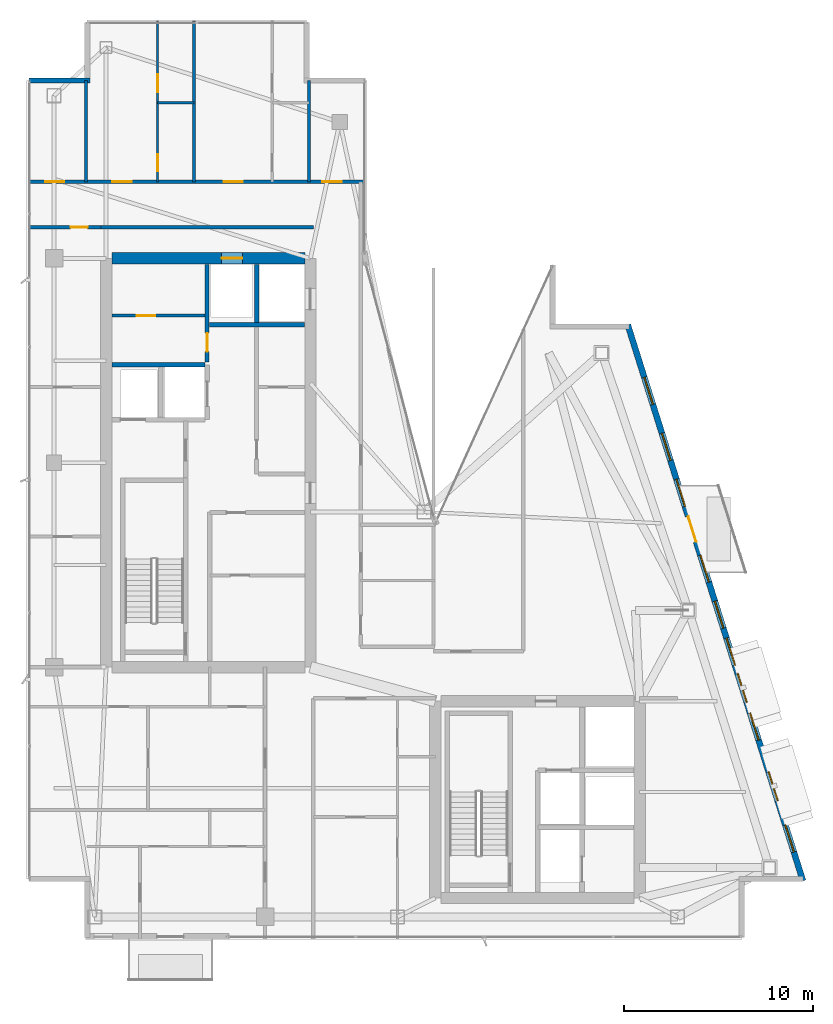
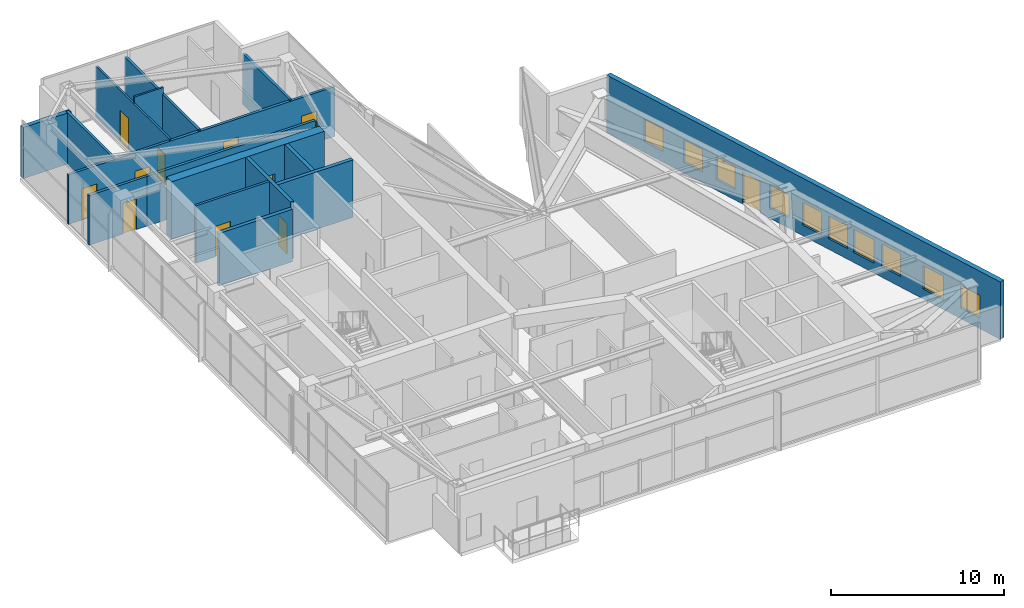
# One storey, part 23 of 26: 16 walls, 11 doors, 10 windows, 21 openings.
"""IFC4 building model written with IfcOpenShell, lengths in metres."""

import ifcopenshell
import ifcopenshell.guid

model = None  # the IFC model being written
_history = None  # IfcOwnerHistory: only IFC2X3 demands one
_inside = {}  # id of a spatial element -> (the spatial element, [elements in it])
_under = {}  # id of a project, library or spatial element -> (it, [spatial elements below it])
_declared = {}  # id of a project -> (the project, [libraries it declares])
_typed = {}  # id of a type object -> (the type object, [elements of that type])
_made_of = {}  # id of a material, layer set ... -> (it, [elements and type objects made of it])


def new_model(schema):
    """Start an empty IFC model of exactly this schema.

    Asked for "IFC4X3", IfcOpenShell would pick the latest addendum, in which some entities
    have other attributes; the version numbers below select the first issue.
    IFC2X3 requires an IfcOwnerHistory on every rooted entity: one is made here for all.
    """
    global model, _history
    if schema == "IFC4X3":
        model = ifcopenshell.file(schema_version=(4, 3, 0, 0))
    else:
        model = ifcopenshell.file(schema=schema)
    _inside.clear()
    _under.clear()
    _declared.clear()
    _typed.clear()
    _made_of.clear()
    _history = None
    if model.schema == "IFC2X3":
        org = make("IfcOrganization", Name="unknown")
        user = make(
            "IfcPersonAndOrganization",
            ThePerson=make("IfcPerson", FamilyName="unknown"),
            TheOrganization=org,
        )
        app = make(
            "IfcApplication",
            ApplicationDeveloper=org,
            Version="unknown",
            ApplicationFullName="unknown",
            ApplicationIdentifier="unknown",
        )
        _history = make(
            "IfcOwnerHistory",
            OwningUser=user,
            OwningApplication=app,
            ChangeAction="ADDED",
            CreationDate=0,
        )
    return model


def make(cls, **values):
    """One entity of the class cls with the attributes given. An attribute that is None is left unset."""
    return model.create_entity(
        cls, **{name: value for name, value in values.items() if value is not None}
    )


def rooted(cls, **values):
    """An entity with a GlobalId (a new one), such as an element, a storey or a relation."""
    return make(cls, GlobalId=ifcopenshell.guid.new(), OwnerHistory=_history, **values)


def si_unit(unit_type, name, prefix=None):
    """IfcSIUnit, for example si_unit("LENGTHUNIT", "METRE", prefix="MILLI")."""
    return make("IfcSIUnit", UnitType=unit_type, Prefix=prefix, Name=name)


def assignment(units):
    """IfcUnitAssignment: the units of a project."""
    return None if units is None else make("IfcUnitAssignment", Units=units)


def point(xyz):
    """IfcCartesianPoint."""
    return None if xyz is None else make("IfcCartesianPoint", Coordinates=xyz)


def direction(xyz):
    """IfcDirection."""
    return None if xyz is None else make("IfcDirection", DirectionRatios=xyz)


def frame(location, z_axis=None, x_axis=None):
    """IfcAxis2Placement3D, a coordinate frame: its origin and axes. An axis left out is left unset."""
    return make(
        "IfcAxis2Placement3D",
        Location=point(location),
        Axis=direction(z_axis),
        RefDirection=direction(x_axis),
    )


def frame_2d(location, x_axis=None):
    """IfcAxis2Placement2D, a coordinate frame in the plane: its origin and x axis."""
    return make(
        "IfcAxis2Placement2D", Location=point(location), RefDirection=direction(x_axis)
    )


def origin():
    """The frame at (0, 0, 0) with its axes left unset."""
    return frame((0.0, 0.0, 0.0))


def place(relative_to, where):
    """IfcLocalPlacement: puts the frame where relative to a parent placement (None: the world)."""
    return make(
        "IfcLocalPlacement", PlacementRelTo=relative_to, RelativePlacement=where
    )


def context(
    kind, dimensions, precision=None, world=None, true_north=None, identifier=None
):
    """IfcGeometricRepresentationContext, for example the 3D "Model" context."""
    return make(
        "IfcGeometricRepresentationContext",
        ContextIdentifier=identifier,
        ContextType=kind,
        CoordinateSpaceDimension=dimensions,
        Precision=precision,
        WorldCoordinateSystem=world,
        TrueNorth=true_north,
    )


def subcontext(parent, identifier, kind, view, scale=None):
    """IfcGeometricRepresentationSubContext, for example "Body" below "Model"."""
    return make(
        "IfcGeometricRepresentationSubContext",
        ContextIdentifier=identifier,
        ContextType=kind,
        ParentContext=parent,
        TargetScale=scale,
        TargetView=view,
    )


def project(units=None, contexts=None):
    """IfcProject with its units and contexts."""
    return rooted(
        "IfcProject",
        Name="project",
        RepresentationContexts=contexts,
        UnitsInContext=assignment(units),
    )


def spatial(cls, under=None, at=None, **own):
    """A site, building, storey or space (cls), placed at a placement, below another one or the project."""
    s = rooted(cls, ObjectPlacement=at, **own)
    if under is not None:
        _under.setdefault(under.id(), (under, []))[1].append(s)
    return s


def profile(cls, at=None, kind="AREA", **sizes):
    """A parametric profile (cls). Its sizes go by their IFC names, for example OverallWidth=200.0."""
    return make(cls, ProfileType=kind, Position=at, **sizes)


def rectangle(**sizes):
    """IfcRectangleProfileDef."""
    return profile("IfcRectangleProfileDef", **sizes)


def extrude(swept, where, along, depth):
    """IfcExtrudedAreaSolid: the profile swept, set in the frame where, extruded along a direction by depth."""
    return make(
        "IfcExtrudedAreaSolid",
        SweptArea=swept,
        Position=where,
        ExtrudedDirection=direction(along),
        Depth=depth,
    )


def shape(context_of_items, identifier, shape_type, items):
    """IfcShapeRepresentation: the items that make up one representation, for example the "Body"."""
    return make(
        "IfcShapeRepresentation",
        ContextOfItems=context_of_items,
        RepresentationIdentifier=identifier,
        RepresentationType=shape_type,
        Items=items,
    )


def material(Name=None, Category=None):
    """IfcMaterial."""
    return make("IfcMaterial", Name=Name, Category=Category)


def layer(
    of_material, thickness, ventilated=None, Name=None, Category=None, Priority=None
):
    """IfcMaterialLayer: one layer of a wall or slab, of a material (None: an air gap)."""
    return make(
        "IfcMaterialLayer",
        Material=of_material,
        LayerThickness=thickness,
        IsVentilated=ventilated,
        Name=Name,
        Category=Category,
        Priority=Priority,
    )


def layer_set(layers, Name=None):
    """IfcMaterialLayerSet."""
    return make("IfcMaterialLayerSet", MaterialLayers=layers, LayerSetName=Name)


def made_of(thing, what):
    """Note that an element or type object is made of a material, layer set ...; save() writes the relation."""
    if what is not None:
        _made_of.setdefault(what.id(), (what, []))[1].append(thing)
    return thing


def type_object(cls, material=None, **own):
    """A type object (cls), such as IfcWallType, which elements share."""
    return made_of(rooted(cls, **own), material)


def element(
    cls,
    number,
    at=None,
    inside=None,
    cuts=None,
    type_object=None,
    material=None,
    context=None,
    identifier="Body",
    shape_type=None,
    held_by="IfcProductDefinitionShape",
    body=None,
    shapes=None,
    **own,
):
    """One element of the class cls, such as IfcWall. Its Tag is "e" and its number.

    at: its placement. inside: the storey or other place that contains it. cuts: it is an
    opening in that element (IfcRelVoidsElement). A single representation is given by context,
    identifier, shape_type and body (its items); several are given by shapes. held_by: the class
    of the entity that holds the representations. save() writes the other relations.
    """
    e = rooted(cls, Tag="e%d" % number, ObjectPlacement=at, **own)
    if body is not None:
        shapes = [shape(context, identifier, shape_type, body)]
    if shapes is not None:
        e.Representation = make(held_by, Representations=shapes)
    if inside is not None:
        _inside.setdefault(inside.id(), (inside, []))[1].append(e)
    if cuts is not None:
        rooted(
            "IfcRelVoidsElement", RelatingBuildingElement=cuts, RelatedOpeningElement=e
        )
    if type_object is not None:
        _typed.setdefault(type_object.id(), (type_object, []))[1].append(e)
    return made_of(e, material)


def fill(opening, filler):
    """IfcRelFillsElement: the door or window that sits in an opening."""
    return rooted(
        "IfcRelFillsElement",
        RelatingOpeningElement=opening,
        RelatedBuildingElement=filler,
    )


def aggregate(whole, parts):
    """IfcRelAggregates: a whole, such as a stair, and the parts it consists of."""
    return rooted("IfcRelAggregates", RelatingObject=whole, RelatedObjects=parts)


def save(model, path):
    """Write the relations noted so far, then the file.

    IfcRelAggregates (storeys below a building ...), IfcRelContainedInSpatialStructure (elements
    in a storey), IfcRelDefinesByType, IfcRelAssociatesMaterial and IfcRelDeclares: one each for
    every whole, place, type object, material and project.
    """
    for whole, parts in _under.values():
        aggregate(whole, parts)
    for where, things in _inside.values():
        rooted(
            "IfcRelContainedInSpatialStructure",
            RelatedElements=things,
            RelatingStructure=where,
        )
    for kind, things in _typed.values():
        rooted("IfcRelDefinesByType", RelatedObjects=things, RelatingType=kind)
    for what, things in _made_of.values():
        rooted("IfcRelAssociatesMaterial", RelatedObjects=things, RelatingMaterial=what)
    for by, libraries in _declared.values():
        rooted("IfcRelDeclares", RelatingContext=by, RelatedDefinitions=libraries)
    model.write(path)


model = new_model("IFC4")

# Units and contexts
model_context = context("Model", 3, precision=1e-05, world=origin(), true_north=direction((0.0, 1.0)))
body_context = subcontext(model_context, "Body", "Model", "MODEL_VIEW")
ifc_project = project(units=[si_unit("LENGTHUNIT", "METRE"), si_unit("AREAUNIT", "SQUARE_METRE"), si_unit("VOLUMEUNIT", "CUBIC_METRE"), si_unit("PLANEANGLEUNIT", "RADIAN"), si_unit("MASSUNIT", "GRAM", prefix="KILO")], contexts=[model_context])

# Site, building, storey
site_placement = place(None, origin())
site = spatial("IfcSite", under=ifc_project, at=site_placement, CompositionType="ELEMENT")
building_placement = place(site_placement, origin())
building = spatial("IfcBuilding", under=site, at=building_placement, Name="Calvorn Quay Hotel", CompositionType="ELEMENT")
storey_placement = place(building_placement, frame((0.0, 0.0, 302.5)))
storey = spatial("IfcBuildingStorey", under=building, at=storey_placement, Name="L75", CompositionType="ELEMENT", Elevation=302.5)

# Wall, opening, door
ifc_material_1 = material(Name="Concrete C45", Category="concrete")
ifc_layer_1 = layer(ifc_material_1, 0.60009765625)
ifc_layer_set_1 = layer_set([ifc_layer_1], Name="WL-CORE-600")
wall_type_1 = type_object("IfcWallType", Name="WL-CORE-600", PredefinedType="SHEAR", material=ifc_layer_set_1)
wall_1_placement = place(storey_placement, frame((4.5, 38.39990234375, 0.0), z_axis=(0.0, 0.0, 1.0), x_axis=(1.0, 0.0, 0.0)))
wall_1 = element("IfcWall", 1, at=wall_1_placement, inside=storey, type_object=wall_type_1, Name="West Core Shear Wall N (L75)", PredefinedType="SHEAR", context=body_context, shape_type="SweptSolid", body=[
    extrude(rectangle(XDim=10.199951171875, YDim=0.60009765625, at=frame_2d((5.10009765625, 0.0))), origin(), (0.0, 0.0, 1.0), 4.050048828125),
])
opening_1_placement = place(wall_1_placement, frame((5.800048828125, 0.0, 0.0)))
opening_1 = element("IfcOpeningElement", 2, at=opening_1_placement, cuts=wall_1, Name="Opening LD-L75-H2", PredefinedType="OPENING", context=body_context, shape_type="SweptSolid", body=[
    extrude(rectangle(XDim=1.10009765625, YDim=2.199951171875, at=frame_2d((0.550048828125, 1.10009765625))), frame((0.0, 0.31005859375, 0.0), z_axis=(0.0, -1.0, 0.0), x_axis=(1.0, 0.0, 0.0)), (0.0, 0.0, 1.0), 0.6201171875),
])
ifc_material_2 = material(Name="Brushed Stainless Steel Sliding Lift Landing Door", Category="steel")
door_type_1 = type_object("IfcDoorType", Name="DR-LIFT-PASS-1100", OperationType="NOTDEFINED", PredefinedType="DOOR", material=ifc_material_2)
door_1_placement = place(opening_1_placement, origin())
door_1 = element("IfcDoor", 3, at=door_1_placement, inside=storey, type_object=door_type_1, Name="High-Rise Lift PL-H2 Landing Door (L75)", OperationType="DOUBLE_DOOR_SLIDING", OverallHeight=2.199951171875, OverallWidth=1.10009765625, PredefinedType="DOOR", context=body_context, shape_type="SweptSolid", body=[
    extrude(rectangle(XDim=1.10009765625, YDim=2.199951171875, at=frame_2d((0.550048828125, 1.10009765625))), frame((0.0, 0.02490234375, 0.0), z_axis=(0.0, -1.0, 0.0), x_axis=(1.0, 0.0, 0.0)), (0.0, 0.0, 1.0), 0.050048828125),
])
fill(opening_1, door_1)

ifc_material_3 = material(Name="Acoustic Fireboard Steel-Stud Partition", Category="steel")
ifc_layer_2 = layer(ifc_material_3, 0.179931640625)
ifc_layer_set_2 = layer_set([ifc_layer_2], Name="WL-CORR-FIRE-180")
wall_type_2 = type_object("IfcWallType", Name="WL-CORR-FIRE-180", PredefinedType="PARTITIONING", material=ifc_layer_set_2)
wall_2_placement = place(storey_placement, frame((0.080078125, 40.050048828125, 0.0), z_axis=(0.0, 0.0, 1.0), x_axis=(1.0, 0.0, 0.0)))
wall_2 = element("IfcWall", 4, at=wall_2_placement, inside=storey, type_object=wall_type_2, Name="Partition Wall L75-WL-WBAY-N-DOOR", PredefinedType="PARTITIONING", context=body_context, shape_type="SweptSolid", body=[
    extrude(rectangle(XDim=3.849853515625, YDim=0.179931640625, at=frame_2d((1.9248046875, 0.0))), origin(), (0.0, 0.0, 1.0), 3.5),
])
opening_2_placement = place(wall_2_placement, frame((2.25, 0.0, 0.0)))
opening_2 = element("IfcOpeningElement", 5, at=opening_2_placement, cuts=wall_2, Name="Opening D-L75-WBN", PredefinedType="OPENING", context=body_context, shape_type="SweptSolid", body=[
    extrude(rectangle(XDim=0.89990234375, YDim=2.14990234375, at=frame_2d((0.449951171875, 1.074951171875))), frame((0.0, 0.099853515625, 0.0), z_axis=(0.0, -1.0, 0.0), x_axis=(1.0, 0.0, 0.0)), (0.0, 0.0, 1.0), 0.199951171875),
])
ifc_material_4 = material(Name="Moisture-Sealed Timber En-Suite Door", Category="wood")
door_type_2 = type_object("IfcDoorType", Name="DR-ENSUITE-900", OperationType="NOTDEFINED", PredefinedType="DOOR", material=ifc_material_4)
door_2_placement = place(opening_2_placement, origin())
door_2 = element("IfcDoor", 6, at=door_2_placement, inside=storey, type_object=door_type_2, Name="West North Bay Door (L75)", OperationType="SINGLE_SWING_LEFT", OverallHeight=2.14990234375, OverallWidth=0.89990234375, PredefinedType="DOOR", context=body_context, shape_type="SweptSolid", body=[
    extrude(rectangle(XDim=0.89990234375, YDim=2.14990234375, at=frame_2d((0.449951171875, 1.074951171875))), frame((0.0, 0.02490234375, 0.0), z_axis=(0.0, -1.0, 0.0), x_axis=(1.0, 0.0, 0.0)), (0.0, 0.0, 1.0), 0.050048828125),
])
fill(opening_2, door_2)

# Wall, openings, doors
wall_3_placement = place(storey_placement, frame((0.080078125, 42.449951171875, 0.0), z_axis=(0.0, 0.0, 1.0), x_axis=(1.0, 0.0, 0.0)))
wall_3 = element("IfcWall", 7, at=wall_3_placement, inside=storey, type_object=wall_type_2, Name="Partition Wall L75-WL-CORR-NW-N", PredefinedType="PARTITIONING", context=body_context, shape_type="SweptSolid", body=[
    extrude(rectangle(XDim=17.77001953125, YDim=0.179931640625, at=frame_2d((8.885009765625, 0.0))), origin(), (0.0, 0.0, 1.0), 3.5),
])
opening_3_placement = place(wall_3_placement, frame((0.89990234375, 0.0, 0.0)))
opening_3 = element("IfcOpeningElement", 8, at=opening_3_placement, cuts=wall_3, Name="Opening D-L75-NWW", PredefinedType="OPENING", context=body_context, shape_type="SweptSolid", body=[
    extrude(rectangle(XDim=1.02001953125, YDim=2.199951171875, at=frame_2d((0.510009765625, 1.10009765625))), frame((0.0, 0.099853515625, 0.0), z_axis=(0.0, -1.0, 0.0), x_axis=(1.0, 0.0, 0.0)), (0.0, 0.0, 1.0), 0.199951171875),
])
opening_4_placement = place(wall_3_placement, frame((4.449951171875, 0.0, 0.0)))
opening_4 = element("IfcOpeningElement", 9, at=opening_4_placement, cuts=wall_3, Name="Opening D-L75-U04", PredefinedType="OPENING", context=body_context, shape_type="SweptSolid", body=[
    extrude(rectangle(XDim=1.02001953125, YDim=2.199951171875, at=frame_2d((0.510009765625, 1.10009765625))), frame((0.0, 0.099853515625, 0.0), z_axis=(0.0, -1.0, 0.0), x_axis=(1.0, 0.0, 0.0)), (0.0, 0.0, 1.0), 0.199951171875),
])
opening_5_placement = place(wall_3_placement, frame((10.330078125, 0.0, 0.0)))
opening_5 = element("IfcOpeningElement", 10, at=opening_5_placement, cuts=wall_3, Name="Opening D-L75-U05", PredefinedType="OPENING", context=body_context, shape_type="SweptSolid", body=[
    extrude(rectangle(XDim=1.02001953125, YDim=2.199951171875, at=frame_2d((0.510009765625, 1.10009765625))), frame((0.0, 0.099853515625, 0.0), z_axis=(0.0, -1.0, 0.0), x_axis=(1.0, 0.0, 0.0)), (0.0, 0.0, 1.0), 0.199951171875),
])
opening_6_placement = place(wall_3_placement, frame((15.550048828125, 0.0, 0.0)))
opening_6 = element("IfcOpeningElement", 11, at=opening_6_placement, cuts=wall_3, Name="Opening D-L75-NWE", PredefinedType="OPENING", context=body_context, shape_type="SweptSolid", body=[
    extrude(rectangle(XDim=1.02001953125, YDim=2.199951171875, at=frame_2d((0.510009765625, 1.10009765625))), frame((0.0, 0.099853515625, 0.0), z_axis=(0.0, -1.0, 0.0), x_axis=(1.0, 0.0, 0.0)), (0.0, 0.0, 1.0), 0.199951171875),
])
ifc_material_5 = material(Name="Solid-Core Walnut Veneer Hotel Fire Door")
door_type_3 = type_object("IfcDoorType", Name="DR-GUEST-ENTRY-1020", OperationType="NOTDEFINED", PredefinedType="DOOR", material=ifc_material_5)
door_3_placement = place(opening_3_placement, origin())
door_3 = element("IfcDoor", 12, at=door_3_placement, inside=storey, type_object=door_type_3, Name="West Corner Study Door (L75)", OperationType="SINGLE_SWING_LEFT", OverallHeight=2.199951171875, OverallWidth=1.02001953125, PredefinedType="DOOR", context=body_context, shape_type="SweptSolid", body=[
    extrude(rectangle(XDim=1.02001953125, YDim=2.199951171875, at=frame_2d((0.510009765625, 1.10009765625))), frame((0.0, 0.02490234375, 0.0), z_axis=(0.0, -1.0, 0.0), x_axis=(1.0, 0.0, 0.0)), (0.0, 0.0, 1.0), 0.050048828125),
])
fill(opening_3, door_3)
door_4_placement = place(opening_4_placement, origin())
door_4 = element("IfcDoor", 13, at=door_4_placement, inside=storey, type_object=door_type_3, Name="North-West Unit Door U04 (L75)", OperationType="SINGLE_SWING_RIGHT", OverallHeight=2.199951171875, OverallWidth=1.02001953125, PredefinedType="DOOR", context=body_context, shape_type="SweptSolid", body=[
    extrude(rectangle(XDim=1.02001953125, YDim=2.199951171875, at=frame_2d((0.510009765625, 1.10009765625))), frame((0.0, 0.02490234375, 0.0), z_axis=(0.0, -1.0, 0.0), x_axis=(1.0, 0.0, 0.0)), (0.0, 0.0, 1.0), 0.050048828125),
])
fill(opening_4, door_4)
door_5_placement = place(opening_5_placement, origin())
door_5 = element("IfcDoor", 14, at=door_5_placement, inside=storey, type_object=door_type_3, Name="North-West Unit Door U05 (L75)", OperationType="SINGLE_SWING_LEFT", OverallHeight=2.199951171875, OverallWidth=1.02001953125, PredefinedType="DOOR", context=body_context, shape_type="SweptSolid", body=[
    extrude(rectangle(XDim=1.02001953125, YDim=2.199951171875, at=frame_2d((0.510009765625, 1.10009765625))), frame((0.0, 0.02490234375, 0.0), z_axis=(0.0, -1.0, 0.0), x_axis=(1.0, 0.0, 0.0)), (0.0, 0.0, 1.0), 0.050048828125),
])
fill(opening_5, door_5)
door_6_placement = place(opening_6_placement, origin())
door_6 = element("IfcDoor", 15, at=door_6_placement, inside=storey, type_object=door_type_3, Name="Inner Court Study Door (L75)", OperationType="SINGLE_SWING_RIGHT", OverallHeight=2.199951171875, OverallWidth=1.02001953125, PredefinedType="DOOR", context=body_context, shape_type="SweptSolid", body=[
    extrude(rectangle(XDim=1.02001953125, YDim=2.199951171875, at=frame_2d((0.510009765625, 1.10009765625))), frame((0.0, 0.02490234375, 0.0), z_axis=(0.0, -1.0, 0.0), x_axis=(1.0, 0.0, 0.0)), (0.0, 0.0, 1.0), 0.050048828125),
])
fill(opening_6, door_6)

# Walls
wall_4_placement = place(storey_placement, frame((3.8798828125, 40.050048828125, 0.0), z_axis=(0.0, 0.0, 1.0), x_axis=(1.0, 0.0, 0.0)))
element("IfcWall", 16, at=wall_4_placement, inside=storey, type_object=wall_type_2, Name="Partition Wall L75-WL-W-SPUR-S", PredefinedType="PARTITIONING", context=body_context, shape_type="SweptSolid", body=[
    extrude(rectangle(XDim=11.27001953125, YDim=0.179931640625, at=frame_2d((5.635009765625, 0.0))), origin(), (0.0, 0.0, 1.0), 3.5),
])
ifc_material_6 = material(Name="Moisture-Resistant Tile-Backed Partition")
ifc_layer_3 = layer(ifc_material_6, 0.125)
ifc_layer_set_3 = layer_set([ifc_layer_3], Name="WL-ENSUITE-125")
wall_type_3 = type_object("IfcWallType", Name="WL-ENSUITE-125", PredefinedType="PARTITIONING", material=ifc_layer_set_3)
wall_5_placement = place(storey_placement, frame((6.919921875, 46.6201171875, 0.0), z_axis=(0.0, 0.0, 1.0), x_axis=(1.0, 0.0, 0.0)))
element("IfcWall", 17, at=wall_5_placement, inside=storey, type_object=wall_type_3, Name="Partition Wall L75-WL-U04-BDV", PredefinedType="PARTITIONING", context=body_context, shape_type="SweptSolid", body=[
    extrude(rectangle(XDim=1.93017578125, YDim=0.125, at=frame_2d((0.965087890625, 0.0))), origin(), (0.0, 0.0, 1.0), 4.050048828125),
])

# Wall, openings, doors
wall_6_placement = place(storey_placement, frame((6.919921875, 42.449951171875, 0.0), z_axis=(0.0, 0.0, 1.0), x_axis=(0.0, 1.0, 0.0)))
wall_6 = element("IfcWall", 18, at=wall_6_placement, inside=storey, type_object=wall_type_3, Name="Partition Wall L75-WL-U04-BV", PredefinedType="PARTITIONING", context=body_context, shape_type="SweptSolid", body=[
    extrude(rectangle(XDim=8.489990234375, YDim=0.125, at=frame_2d((4.2451171875, 0.0))), origin(), (0.0, 0.0, 1.0), 3.60009765625),
])
opening_7_placement = place(wall_6_placement, frame((0.550048828125, 0.0, 0.0)))
opening_7 = element("IfcOpeningElement", 19, at=opening_7_placement, cuts=wall_6, Name="Opening D-L75-E04", PredefinedType="OPENING", context=body_context, shape_type="SweptSolid", body=[
    extrude(rectangle(XDim=0.89990234375, YDim=2.14990234375, at=frame_2d((0.449951171875, 1.074951171875))), frame((0.0, 0.072509765625, 0.0), z_axis=(0.0, -1.0, 0.0), x_axis=(1.0, 0.0, 0.0)), (0.0, 0.0, 1.0), 0.14501953125),
])
opening_8_placement = place(wall_6_placement, frame((4.719970703125, 0.0, 0.0)))
opening_8 = element("IfcOpeningElement", 20, at=opening_8_placement, cuts=wall_6, Name="Opening D-L75-S04", PredefinedType="OPENING", context=body_context, shape_type="SweptSolid", body=[
    extrude(rectangle(XDim=0.9599609375, YDim=2.199951171875, at=frame_2d((0.47998046875, 1.10009765625))), frame((0.0, 0.072509765625, 0.0), z_axis=(0.0, -1.0, 0.0), x_axis=(1.0, 0.0, 0.0)), (0.0, 0.0, 1.0), 0.14501953125),
])
door_7_placement = place(opening_7_placement, origin())
door_7 = element("IfcDoor", 21, at=door_7_placement, inside=storey, type_object=door_type_2, Name="En-Suite Door 04", OperationType="SINGLE_SWING_LEFT", OverallHeight=2.14990234375, OverallWidth=0.89990234375, PredefinedType="DOOR", context=body_context, shape_type="SweptSolid", body=[
    extrude(rectangle(XDim=0.89990234375, YDim=2.14990234375, at=frame_2d((0.449951171875, 1.074951171875))), frame((0.0, 0.02490234375, 0.0), z_axis=(0.0, -1.0, 0.0), x_axis=(1.0, 0.0, 0.0)), (0.0, 0.0, 1.0), 0.050048828125),
])
fill(opening_7, door_7)
ifc_material_7 = material(Name="Solid Timber Internal Suite Door", Category="wood")
door_type_4 = type_object("IfcDoorType", Name="DR-SUITE-INT-960", OperationType="NOTDEFINED", PredefinedType="DOOR", material=ifc_material_7)
door_8_placement = place(opening_8_placement, origin())
door_8 = element("IfcDoor", 22, at=door_8_placement, inside=storey, type_object=door_type_4, Name="Private Executive Study Door 04", OperationType="SINGLE_SWING_RIGHT", OverallHeight=2.199951171875, OverallWidth=0.9599609375, PredefinedType="DOOR", context=body_context, shape_type="SweptSolid", body=[
    extrude(rectangle(XDim=0.9599609375, YDim=2.199951171875, at=frame_2d((0.47998046875, 1.10009765625))), frame((0.0, 0.02490234375, 0.0), z_axis=(0.0, -1.0, 0.0), x_axis=(1.0, 0.0, 0.0)), (0.0, 0.0, 1.0), 0.050048828125),
])
fill(opening_8, door_8)

# Wall
ifc_material_8 = material(Name="Concrete C40", Category="concrete")
ifc_layer_4 = layer(ifc_material_8, 0.320068359375)
ifc_layer_set_4 = layer_set([ifc_layer_4], Name="WL-EXT-SPANDREL-320")
wall_type_4 = type_object("IfcWallType", Name="WL-EXT-SPANDREL-320", PredefinedType="SOLIDWALL", material=ifc_layer_set_4)
wall_7_placement = place(storey_placement, frame((3.340087890625, 47.800048828125, 0.0), z_axis=(0.0, 0.0, 1.0), x_axis=(-1.0, 0.0, 0.0)))
element("IfcWall", 23, at=wall_7_placement, inside=storey, type_object=wall_type_4, Name="Notched Corner Spandrel L75-NW2", PredefinedType="SOLIDWALL", context=body_context, shape_type="SweptSolid", body=[
    extrude(rectangle(XDim=3.219970703125, YDim=0.280029296875, at=frame_2d((1.60986328125, 0.0))), origin(), (0.0, 0.0, 1.0), 3.60009765625),
])

# Wall, openings, door, windows
wall_8_placement = place(storey_placement, frame((41.030029296875, 5.5048828125, 0.0), z_axis=(0.0, 0.0, 1.0), x_axis=(-0.300509063924, 0.953778958931, 0.0)))
wall_8 = element("IfcWall", 24, at=wall_8_placement, inside=storey, type_object=wall_type_4, Name="East Stepped Waterfront Exterior Wall (L75)", PredefinedType="SOLIDWALL", context=body_context, shape_type="SweptSolid", body=[
    extrude(rectangle(XDim=30.814453125, YDim=0.320068359375, at=frame_2d((15.4072265625, 0.0))), origin(), (0.0, 0.0, 1.0), 4.050048828125),
])
opening_9_placement = place(wall_8_placement, frame((18.7958984375, 0.0, 0.0)))
opening_9 = element("IfcOpeningElement", 25, at=opening_9_placement, cuts=wall_8, Name="Opening DB-L75-1", PredefinedType="OPENING", context=body_context, shape_type="SweptSolid", body=[
    extrude(rectangle(XDim=1.39990234375, YDim=2.25, at=frame_2d((0.699951171875, 1.125))), frame((0.0, 0.169921875, 0.0), z_axis=(0.0, -1.0, 0.0), x_axis=(1.0, 0.0, 0.0)), (0.0, 0.0, 1.0), 0.340087890625),
])
opening_10_placement = place(wall_8_placement, frame((4.43701171875, 0.0, 0.699951171875)))
opening_10 = element("IfcOpeningElement", 26, at=opening_10_placement, cuts=wall_8, Name="Opening WHD-L75-1", PredefinedType="OPENING", context=body_context, shape_type="SweptSolid", body=[
    extrude(rectangle(XDim=1.60009765625, YDim=1.64990234375, at=frame_2d((0.800048828125, 0.824951171875))), frame((0.0, 0.169921875, 0.0), z_axis=(0.0, -1.0, 0.0), x_axis=(1.0, 0.0, 0.0)), (0.0, 0.0, 1.0), 0.340087890625),
])
opening_11_placement = place(wall_8_placement, frame((9.888916015625, 0.0, 0.699951171875)))
opening_11 = element("IfcOpeningElement", 27, at=opening_11_placement, cuts=wall_8, Name="Opening WHD-L75-2", PredefinedType="OPENING", context=body_context, shape_type="SweptSolid", body=[
    extrude(rectangle(XDim=1.60009765625, YDim=1.64990234375, at=frame_2d((0.800048828125, 0.824951171875))), frame((0.0, 0.169921875, 0.0), z_axis=(0.0, -1.0, 0.0), x_axis=(1.0, 0.0, 0.0)), (0.0, 0.0, 1.0), 0.340087890625),
])
opening_12_placement = place(wall_8_placement, frame((1.60009765625, 0.0, 0.75)))
opening_12 = element("IfcOpeningElement", 28, at=opening_12_placement, cuts=wall_8, Name="Opening WG-L75-E1", PredefinedType="OPENING", context=body_context, shape_type="SweptSolid", body=[
    extrude(rectangle(XDim=1.5, YDim=1.60009765625, at=frame_2d((0.75, 0.800048828125))), frame((0.0, 0.169921875, 0.0), z_axis=(0.0, -1.0, 0.0), x_axis=(1.0, 0.0, 0.0)), (0.0, 0.0, 1.0), 0.340087890625),
])
opening_13_placement = place(wall_8_placement, frame((7.800048828125, 0.0, 0.75)))
opening_13 = element("IfcOpeningElement", 29, at=opening_13_placement, cuts=wall_8, Name="Opening WG-L75-E2", PredefinedType="OPENING", context=body_context, shape_type="SweptSolid", body=[
    extrude(rectangle(XDim=1.5, YDim=1.60009765625, at=frame_2d((0.75, 0.800048828125))), frame((0.0, 0.169921875, 0.0), z_axis=(0.0, -1.0, 0.0), x_axis=(1.0, 0.0, 0.0)), (0.0, 0.0, 1.0), 0.340087890625),
])
opening_14_placement = place(wall_8_placement, frame((11.949951171875, 0.0, 0.75)))
opening_14 = element("IfcOpeningElement", 30, at=opening_14_placement, cuts=wall_8, Name="Opening WG-L75-E3", PredefinedType="OPENING", context=body_context, shape_type="SweptSolid", body=[
    extrude(rectangle(XDim=1.5, YDim=1.60009765625, at=frame_2d((0.75, 0.800048828125))), frame((0.0, 0.169921875, 0.0), z_axis=(0.0, -1.0, 0.0), x_axis=(1.0, 0.0, 0.0)), (0.0, 0.0, 1.0), 0.340087890625),
])
opening_15_placement = place(wall_8_placement, frame((14.0, 0.0, 0.75)))
opening_15 = element("IfcOpeningElement", 31, at=opening_15_placement, cuts=wall_8, Name="Opening WG-L75-E4", PredefinedType="OPENING", context=body_context, shape_type="SweptSolid", body=[
    extrude(rectangle(XDim=1.5, YDim=1.60009765625, at=frame_2d((0.75, 0.800048828125))), frame((0.0, 0.169921875, 0.0), z_axis=(0.0, -1.0, 0.0), x_axis=(1.0, 0.0, 0.0)), (0.0, 0.0, 1.0), 0.340087890625),
])
opening_16_placement = place(wall_8_placement, frame((16.550048828125, 0.0, 0.75)))
opening_16 = element("IfcOpeningElement", 32, at=opening_16_placement, cuts=wall_8, Name="Opening WG-L75-E5", PredefinedType="OPENING", context=body_context, shape_type="SweptSolid", body=[
    extrude(rectangle(XDim=1.5, YDim=1.60009765625, at=frame_2d((0.75, 0.800048828125))), frame((0.0, 0.169921875, 0.0), z_axis=(0.0, -1.0, 0.0), x_axis=(1.0, 0.0, 0.0)), (0.0, 0.0, 1.0), 0.340087890625),
])
opening_17_placement = place(wall_8_placement, frame((20.75, 0.0, 0.75)))
opening_17 = element("IfcOpeningElement", 33, at=opening_17_placement, cuts=wall_8, Name="Opening WG-L75-E6", PredefinedType="OPENING", context=body_context, shape_type="SweptSolid", body=[
    extrude(rectangle(XDim=1.5, YDim=1.60009765625, at=frame_2d((0.75, 0.800048828125))), frame((0.0, 0.169921875, 0.0), z_axis=(0.0, -1.0, 0.0), x_axis=(1.0, 0.0, 0.0)), (0.0, 0.0, 1.0), 0.340087890625),
])
opening_18_placement = place(wall_8_placement, frame((23.300048828125, 0.0, 0.75)))
opening_18 = element("IfcOpeningElement", 34, at=opening_18_placement, cuts=wall_8, Name="Opening WG-L75-E7", PredefinedType="OPENING", context=body_context, shape_type="SweptSolid", body=[
    extrude(rectangle(XDim=1.5, YDim=1.60009765625, at=frame_2d((0.75, 0.800048828125))), frame((0.0, 0.169921875, 0.0), z_axis=(0.0, -1.0, 0.0), x_axis=(1.0, 0.0, 0.0)), (0.0, 0.0, 1.0), 0.340087890625),
])
opening_19_placement = place(wall_8_placement, frame((26.39990234375, 0.0, 0.75)))
opening_19 = element("IfcOpeningElement", 35, at=opening_19_placement, cuts=wall_8, Name="Opening WG-L75-E8", PredefinedType="OPENING", context=body_context, shape_type="SweptSolid", body=[
    extrude(rectangle(XDim=1.5, YDim=1.60009765625, at=frame_2d((0.75, 0.800048828125))), frame((0.0, 0.169921875, 0.0), z_axis=(0.0, -1.0, 0.0), x_axis=(1.0, 0.0, 0.0)), (0.0, 0.0, 1.0), 0.340087890625),
])
ifc_material_9 = material(Name="Typhoon-Rated Low-E Aluminium Terrace Door", Category="aluminium")
door_type_5 = type_object("IfcDoorType", Name="DR-BALCONY-GLZ-1400", OperationType="NOTDEFINED", PredefinedType="DOOR", material=ifc_material_9)
door_9_placement = place(opening_9_placement, origin())
door_9 = element("IfcDoor", 36, at=door_9_placement, inside=storey, type_object=door_type_5, Name="Tree Balcony Terrace Door L75-BALC-E", OperationType="SINGLE_SWING_LEFT", OverallHeight=2.25, OverallWidth=1.39990234375, PredefinedType="DOOR", context=body_context, shape_type="SweptSolid", body=[
    extrude(rectangle(XDim=1.39990234375, YDim=2.25, at=frame_2d((0.699951171875, 1.125))), frame((0.0, 0.02490234375, 0.0), z_axis=(0.0, -1.0, 0.0), x_axis=(1.0, 0.0, 0.0)), (0.0, 0.0, 1.0), 0.050048828125),
])
fill(opening_9, door_9)
ifc_material_10 = material(Name="Champagne-Bronze Aluminium Low-E Window", Category="aluminium")
window_type_1 = type_object("IfcWindowType", Name="WIN-GUEST-SIDE-1600x2100", PartitioningType="SINGLE_PANEL", PredefinedType="WINDOW", material=ifc_material_10)
window_1_placement = place(opening_10_placement, origin())
window_1 = element("IfcWindow", 37, at=window_1_placement, inside=storey, type_object=window_type_1, Name="Bay Hood Window L75-HOOD-1", OverallHeight=1.64990234375, OverallWidth=1.60009765625, PartitioningType="SINGLE_PANEL", PredefinedType="WINDOW", context=body_context, shape_type="SweptSolid", body=[
    extrude(rectangle(XDim=1.60009765625, YDim=1.64990234375, at=frame_2d((0.800048828125, 0.824951171875))), frame((0.0, 0.030029296875, 0.0), z_axis=(0.0, -1.0, 0.0), x_axis=(1.0, 0.0, 0.0)), (0.0, 0.0, 1.0), 0.06005859375),
])
fill(opening_10, window_1)
window_2_placement = place(opening_11_placement, origin())
window_2 = element("IfcWindow", 38, at=window_2_placement, inside=storey, type_object=window_type_1, Name="Bay Hood Window L75-HOOD-2", OverallHeight=1.64990234375, OverallWidth=1.60009765625, PartitioningType="SINGLE_PANEL", PredefinedType="WINDOW", context=body_context, shape_type="SweptSolid", body=[
    extrude(rectangle(XDim=1.60009765625, YDim=1.64990234375, at=frame_2d((0.800048828125, 0.824951171875))), frame((0.0, 0.030029296875, 0.0), z_axis=(0.0, -1.0, 0.0), x_axis=(1.0, 0.0, 0.0)), (0.0, 0.0, 1.0), 0.06005859375),
])
fill(opening_11, window_2)
ifc_material_11 = material(Name="Self-Closing Class B Fire Window")
window_type_2 = type_object("IfcWindowType", Name="WIN-REFUGE-1500x1600", PartitioningType="SINGLE_PANEL", PredefinedType="WINDOW", material=ifc_material_11)
window_3_placement = place(opening_12_placement, origin())
window_3 = element("IfcWindow", 39, at=window_3_placement, inside=storey, type_object=window_type_2, Name="East Facade Window L75-E1", OverallHeight=1.60009765625, OverallWidth=1.5, PartitioningType="SINGLE_PANEL", PredefinedType="WINDOW", context=body_context, shape_type="SweptSolid", body=[
    extrude(rectangle(XDim=1.5, YDim=1.60009765625, at=frame_2d((0.75, 0.800048828125))), frame((0.0, 0.030029296875, 0.0), z_axis=(0.0, -1.0, 0.0), x_axis=(1.0, 0.0, 0.0)), (0.0, 0.0, 1.0), 0.06005859375),
])
fill(opening_12, window_3)
window_4_placement = place(opening_13_placement, origin())
window_4 = element("IfcWindow", 40, at=window_4_placement, inside=storey, type_object=window_type_2, Name="East Facade Window L75-E2", OverallHeight=1.60009765625, OverallWidth=1.5, PartitioningType="SINGLE_PANEL", PredefinedType="WINDOW", context=body_context, shape_type="SweptSolid", body=[
    extrude(rectangle(XDim=1.5, YDim=1.60009765625, at=frame_2d((0.75, 0.800048828125))), frame((0.0, 0.030029296875, 0.0), z_axis=(0.0, -1.0, 0.0), x_axis=(1.0, 0.0, 0.0)), (0.0, 0.0, 1.0), 0.06005859375),
])
fill(opening_13, window_4)
window_5_placement = place(opening_14_placement, origin())
window_5 = element("IfcWindow", 41, at=window_5_placement, inside=storey, type_object=window_type_2, Name="East Facade Window L75-E3", OverallHeight=1.60009765625, OverallWidth=1.5, PartitioningType="SINGLE_PANEL", PredefinedType="WINDOW", context=body_context, shape_type="SweptSolid", body=[
    extrude(rectangle(XDim=1.5, YDim=1.60009765625, at=frame_2d((0.75, 0.800048828125))), frame((0.0, 0.030029296875, 0.0), z_axis=(0.0, -1.0, 0.0), x_axis=(1.0, 0.0, 0.0)), (0.0, 0.0, 1.0), 0.06005859375),
])
fill(opening_14, window_5)
window_6_placement = place(opening_15_placement, origin())
window_6 = element("IfcWindow", 42, at=window_6_placement, inside=storey, type_object=window_type_2, Name="East Facade Window L75-E4", OverallHeight=1.60009765625, OverallWidth=1.5, PartitioningType="SINGLE_PANEL", PredefinedType="WINDOW", context=body_context, shape_type="SweptSolid", body=[
    extrude(rectangle(XDim=1.5, YDim=1.60009765625, at=frame_2d((0.75, 0.800048828125))), frame((0.0, 0.030029296875, 0.0), z_axis=(0.0, -1.0, 0.0), x_axis=(1.0, 0.0, 0.0)), (0.0, 0.0, 1.0), 0.06005859375),
])
fill(opening_15, window_6)
window_7_placement = place(opening_16_placement, origin())
window_7 = element("IfcWindow", 43, at=window_7_placement, inside=storey, type_object=window_type_2, Name="East Facade Window L75-E5", OverallHeight=1.60009765625, OverallWidth=1.5, PartitioningType="SINGLE_PANEL", PredefinedType="WINDOW", context=body_context, shape_type="SweptSolid", body=[
    extrude(rectangle(XDim=1.5, YDim=1.60009765625, at=frame_2d((0.75, 0.800048828125))), frame((0.0, 0.030029296875, 0.0), z_axis=(0.0, -1.0, 0.0), x_axis=(1.0, 0.0, 0.0)), (0.0, 0.0, 1.0), 0.06005859375),
])
fill(opening_16, window_7)
window_8_placement = place(opening_17_placement, origin())
window_8 = element("IfcWindow", 44, at=window_8_placement, inside=storey, type_object=window_type_2, Name="East Facade Window L75-E6", OverallHeight=1.60009765625, OverallWidth=1.5, PartitioningType="SINGLE_PANEL", PredefinedType="WINDOW", context=body_context, shape_type="SweptSolid", body=[
    extrude(rectangle(XDim=1.5, YDim=1.60009765625, at=frame_2d((0.75, 0.800048828125))), frame((0.0, 0.030029296875, 0.0), z_axis=(0.0, -1.0, 0.0), x_axis=(1.0, 0.0, 0.0)), (0.0, 0.0, 1.0), 0.06005859375),
])
fill(opening_17, window_8)
window_9_placement = place(opening_18_placement, origin())
window_9 = element("IfcWindow", 45, at=window_9_placement, inside=storey, type_object=window_type_2, Name="East Facade Window L75-E7", OverallHeight=1.60009765625, OverallWidth=1.5, PartitioningType="SINGLE_PANEL", PredefinedType="WINDOW", context=body_context, shape_type="SweptSolid", body=[
    extrude(rectangle(XDim=1.5, YDim=1.60009765625, at=frame_2d((0.75, 0.800048828125))), frame((0.0, 0.030029296875, 0.0), z_axis=(0.0, -1.0, 0.0), x_axis=(1.0, 0.0, 0.0)), (0.0, 0.0, 1.0), 0.06005859375),
])
fill(opening_18, window_9)
window_10_placement = place(opening_19_placement, origin())
window_10 = element("IfcWindow", 46, at=window_10_placement, inside=storey, type_object=window_type_2, Name="East Facade Window L75-E8", OverallHeight=1.60009765625, OverallWidth=1.5, PartitioningType="SINGLE_PANEL", PredefinedType="WINDOW", context=body_context, shape_type="SweptSolid", body=[
    extrude(rectangle(XDim=1.5, YDim=1.60009765625, at=frame_2d((0.75, 0.800048828125))), frame((0.0, 0.030029296875, 0.0), z_axis=(0.0, -1.0, 0.0), x_axis=(1.0, 0.0, 0.0)), (0.0, 0.0, 1.0), 0.06005859375),
])
fill(opening_19, window_10)

# Wall, opening, door
ifc_material_12 = material(Name="Double-Stud Acoustic Gypsum Partition")
ifc_layer_5 = layer(ifc_material_12, 0.159912109375)
ifc_layer_set_5 = layer_set([ifc_layer_5], Name="WL-INTERSUITE-160")
wall_type_5 = type_object("IfcWallType", Name="WL-INTERSUITE-160", PredefinedType="PARTITIONING", material=ifc_layer_set_5)
wall_9_placement = place(storey_placement, frame((4.52001953125, 35.3798828125, 0.0), z_axis=(0.0, 0.0, 1.0), x_axis=(1.0, 0.0, 0.0)))
wall_9 = element("IfcWall", 47, at=wall_9_placement, inside=storey, type_object=wall_type_5, Name="Partition Wall L75-WL-CWW-K-MID", PredefinedType="PARTITIONING", context=body_context, shape_type="SweptSolid", body=[
    extrude(rectangle(XDim=4.89990234375, YDim=0.159912109375, at=frame_2d((2.449951171875, 0.0))), origin(), (0.0, 0.0, 1.0), 4.050048828125),
])
opening_20_placement = place(wall_9_placement, frame((1.300048828125, 0.0, 0.0)))
opening_20 = element("IfcOpeningElement", 48, at=opening_20_placement, cuts=wall_9, Name="Opening D-L75-CK2", PredefinedType="OPENING", context=body_context, shape_type="SweptSolid", body=[
    extrude(rectangle(XDim=0.97998046875, YDim=2.14990234375, at=frame_2d((0.489990234375, 1.074951171875))), frame((0.0, 0.08984375, 0.0), z_axis=(0.0, -1.0, 0.0), x_axis=(1.0, 0.0, 0.0)), (0.0, 0.0, 1.0), 0.179931640625),
])
ifc_material_13 = material(Name="Painted Steel Housekeeping/Riser Fire Door", Category="steel")
door_type_6 = type_object("IfcDoorType", Name="DR-SERVICE-980", OperationType="NOTDEFINED", PredefinedType="DOOR", material=ifc_material_13)
door_10_placement = place(opening_20_placement, origin())
door_10 = element("IfcDoor", 49, at=door_10_placement, inside=storey, type_object=door_type_6, Name="Electrical Riser Door (L75)", OperationType="SINGLE_SWING_RIGHT", OverallHeight=2.14990234375, OverallWidth=0.97998046875, PredefinedType="DOOR", context=body_context, shape_type="SweptSolid", body=[
    extrude(rectangle(XDim=0.97998046875, YDim=2.14990234375, at=frame_2d((0.489990234375, 1.074951171875))), frame((0.0, 0.02490234375, 0.0), z_axis=(0.0, -1.0, 0.0), x_axis=(1.0, 0.0, 0.0)), (0.0, 0.0, 1.0), 0.050048828125),
])
fill(opening_20, door_10)

# Walls
wall_10_placement = place(storey_placement, frame((3.14990234375, 42.449951171875, 0.0), z_axis=(0.0, 0.0, 1.0), x_axis=(0.0, 1.0, 0.0)))
element("IfcWall", 50, at=wall_10_placement, inside=storey, type_object=wall_type_5, Name="Partition Wall L75-WL-NW-DIV-W0", PredefinedType="PARTITIONING", context=body_context, shape_type="SweptSolid", body=[
    extrude(rectangle(XDim=5.35009765625, YDim=0.159912109375, at=frame_2d((2.675048828125, 0.0))), origin(), (0.0, 0.0, 1.0), 3.64990234375),
])
wall_11_placement = place(storey_placement, frame((14.919921875, 42.449951171875, 0.0), z_axis=(0.0, 0.0, 1.0), x_axis=(0.0, 1.0, 0.0)))
element("IfcWall", 51, at=wall_11_placement, inside=storey, type_object=wall_type_5, Name="Partition Wall L75-WL-NW-DIV-E0", PredefinedType="PARTITIONING", context=body_context, shape_type="SweptSolid", body=[
    extrude(rectangle(XDim=5.35009765625, YDim=0.159912109375, at=frame_2d((2.675048828125, 0.0))), origin(), (0.0, 0.0, 1.0), 3.60009765625),
])
wall_12_placement = place(storey_placement, frame((8.85009765625, 42.449951171875, 0.0), z_axis=(0.0, 0.0, 1.0), x_axis=(0.0, 1.0, 0.0)))
element("IfcWall", 52, at=wall_12_placement, inside=storey, type_object=wall_type_5, Name="Partition Wall L75-WL-NW-DIV-1", PredefinedType="PARTITIONING", context=body_context, shape_type="SweptSolid", body=[
    extrude(rectangle(XDim=8.489990234375, YDim=0.159912109375, at=frame_2d((4.2451171875, 0.0))), origin(), (0.0, 0.0, 1.0), 3.60009765625),
])

# Wall, opening, door
ifc_material_14 = material(Name="Autoclaved Aerated Masonry Block", Category="masonry")
ifc_layer_6 = layer(ifc_material_14, 0.219970703125)
ifc_layer_set_6 = layer_set([ifc_layer_6], Name="WL-LOBBY-FIRE-220")
wall_type_6 = type_object("IfcWallType", Name="WL-LOBBY-FIRE-220", PredefinedType="SOLIDWALL", material=ifc_layer_set_6)
wall_13_placement = place(storey_placement, frame((9.5400390625, 32.919921875, 0.0), z_axis=(0.0, 0.0, 1.0), x_axis=(0.0, 1.0, 0.0)))
wall_13 = element("IfcWall", 53, at=wall_13_placement, inside=storey, type_object=wall_type_6, Name="Partition Wall L75-WL-CWW-K-E", PredefinedType="SOLIDWALL", context=body_context, shape_type="SweptSolid", body=[
    extrude(rectangle(XDim=5.16015625, YDim=0.219970703125, at=frame_2d((2.580078125, 0.0))), origin(), (0.0, 0.0, 1.0), 4.050048828125),
])
opening_21_placement = place(wall_13_placement, frame((0.550048828125, 0.0, 0.0)))
opening_21 = element("IfcOpeningElement", 54, at=opening_21_placement, cuts=wall_13, Name="Opening D-L75-CK1", PredefinedType="OPENING", context=body_context, shape_type="SweptSolid", body=[
    extrude(rectangle(XDim=0.97998046875, YDim=2.14990234375, at=frame_2d((0.489990234375, 1.074951171875))), frame((0.0, 0.119873046875, 0.0), z_axis=(0.0, -1.0, 0.0), x_axis=(1.0, 0.0, 0.0)), (0.0, 0.0, 1.0), 0.239990234375),
])
door_11_placement = place(opening_21_placement, origin())
door_11 = element("IfcDoor", 55, at=door_11_placement, inside=storey, type_object=door_type_6, Name="Core Housekeeping Door (L75)", OperationType="SINGLE_SWING_LEFT", OverallHeight=2.14990234375, OverallWidth=0.97998046875, PredefinedType="DOOR", context=body_context, shape_type="SweptSolid", body=[
    extrude(rectangle(XDim=0.97998046875, YDim=2.14990234375, at=frame_2d((0.489990234375, 1.074951171875))), frame((0.0, 0.02490234375, 0.0), z_axis=(0.0, -1.0, 0.0), x_axis=(1.0, 0.0, 0.0)), (0.0, 0.0, 1.0), 0.050048828125),
])
fill(opening_21, door_11)

# Walls
ifc_material_15 = material(Name="Concrete C40", Category="concrete")
ifc_layer_7 = layer(ifc_material_15, 0.239990234375)
ifc_layer_set_7 = layer_set([ifc_layer_7], Name="WL-SHAFT-240")
wall_type_7 = type_object("IfcWallType", Name="WL-SHAFT-240", PredefinedType="SOLIDWALL", material=ifc_layer_set_7)
wall_14_placement = place(storey_placement, frame((4.52001953125, 32.780029296875, 0.0), z_axis=(0.0, 0.0, 1.0), x_axis=(1.0, 0.0, 0.0)))
element("IfcWall", 56, at=wall_14_placement, inside=storey, type_object=wall_type_7, Name="Partition Wall L75-WL-CWW-SLW-N", PredefinedType="SOLIDWALL", context=body_context, shape_type="SweptSolid", body=[
    extrude(rectangle(XDim=4.89990234375, YDim=0.239990234375, at=frame_2d((2.449951171875, 0.0))), origin(), (0.0, 0.0, 1.0), 3.699951171875),
])
wall_15_placement = place(storey_placement, frame((9.659912109375, 34.89990234375, 0.0), z_axis=(0.0, 0.0, 1.0), x_axis=(1.0, 0.0, 0.0)))
element("IfcWall", 57, at=wall_15_placement, inside=storey, type_object=wall_type_7, Name="Partition Wall L75-WL-CWW-PLH-S", PredefinedType="SOLIDWALL", context=body_context, shape_type="SweptSolid", body=[
    extrude(rectangle(XDim=5.02001953125, YDim=0.239990234375, at=frame_2d((2.510009765625, 0.0))), origin(), (0.0, 0.0, 1.0), 4.050048828125),
])
wall_16_placement = place(storey_placement, frame((12.14990234375, 35.02001953125, 0.0), z_axis=(0.0, 0.0, 1.0), x_axis=(0.0, 1.0, 0.0)))
element("IfcWall", 58, at=wall_16_placement, inside=storey, type_object=wall_type_7, Name="Partition Wall L75-WL-CWW-PLH-DIV", PredefinedType="SOLIDWALL", context=body_context, shape_type="SweptSolid", body=[
    extrude(rectangle(XDim=3.06005859375, YDim=0.239990234375, at=frame_2d((1.530029296875, 0.0))), origin(), (0.0, 0.0, 1.0), 4.050048828125),
])

save(model, "model.ifc")
